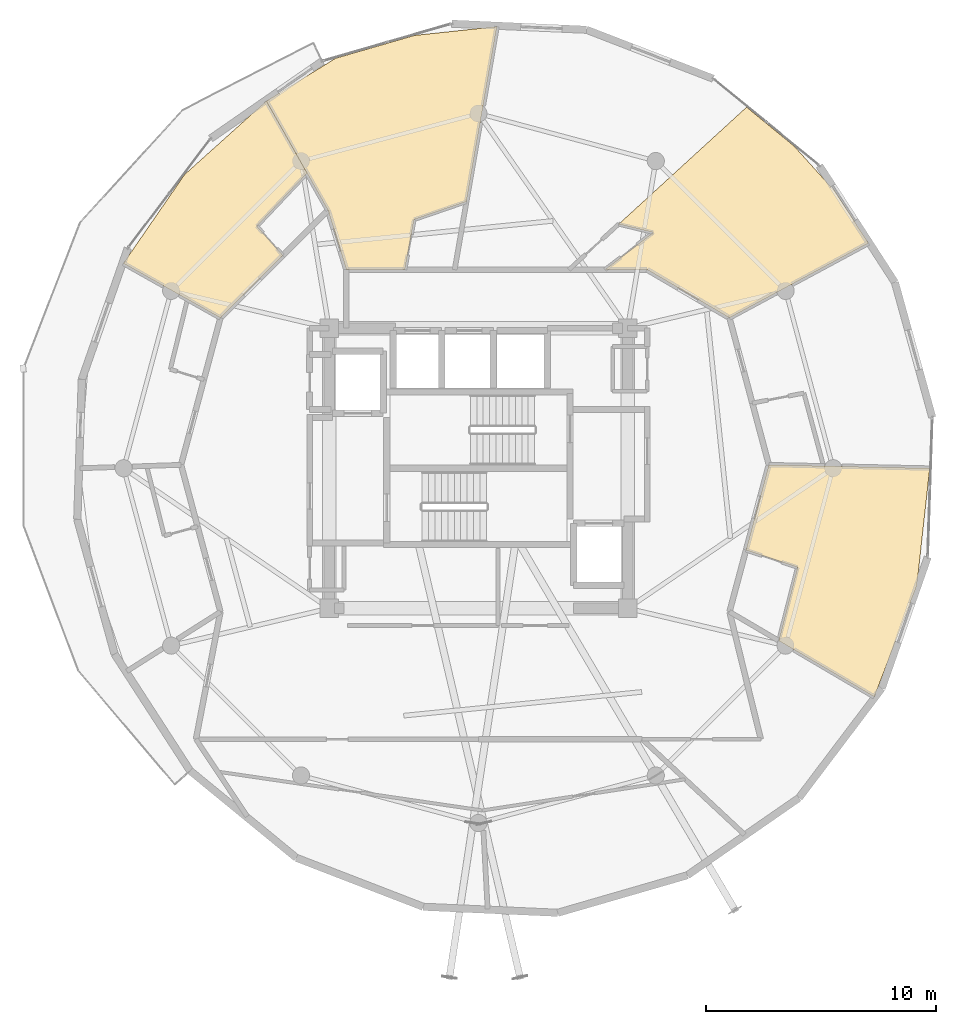
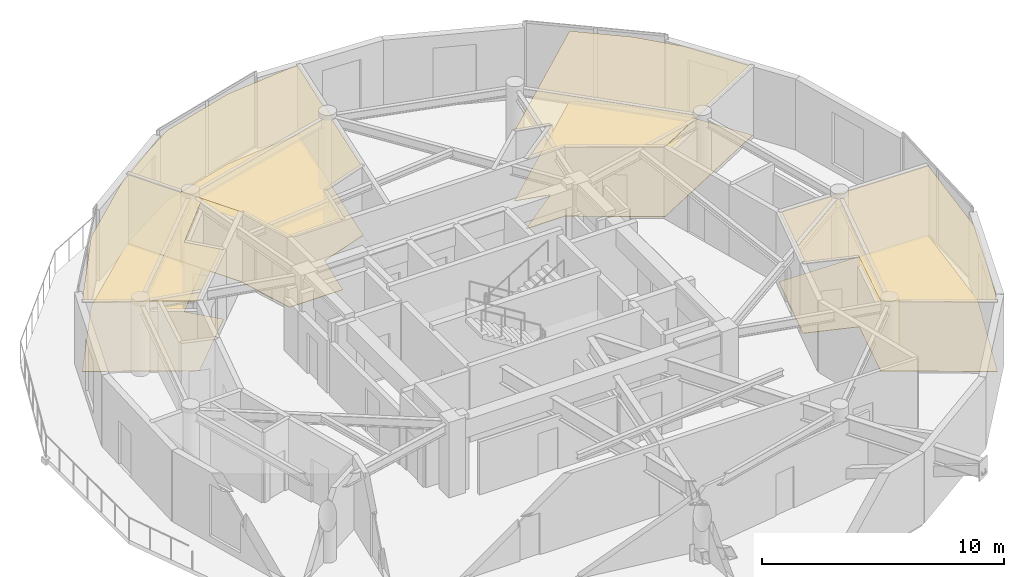
# One storey, part 16 of 16: 8 coverings.
"""IFC4 building model written with IfcOpenShell, lengths in metres."""

from ifc_helpers import new_model, si_unit, direction, frame, origin, place, context, subcontext, project, spatial, polyline, outline, extrude, material, layer, layer_set, type_object, element, save


model = new_model("IFC4")

# Units and contexts
model_context = context("Model", 3, precision=1e-05, world=origin(), true_north=direction((0.0, 1.0)))
body_context = subcontext(model_context, "Body", "Model", "MODEL_VIEW")
ifc_project = project(units=[si_unit("LENGTHUNIT", "METRE"), si_unit("AREAUNIT", "SQUARE_METRE"), si_unit("VOLUMEUNIT", "CUBIC_METRE"), si_unit("PLANEANGLEUNIT", "RADIAN"), si_unit("MASSUNIT", "GRAM", prefix="KILO")], contexts=[model_context])

# Site, building, storey
site_placement = place(None, origin())
site = spatial("IfcSite", under=ifc_project, at=site_placement, CompositionType="ELEMENT")
building_placement = place(site_placement, origin())
building = spatial("IfcBuilding", under=site, at=building_placement, Name="Solvirekh Grand Hotel", CompositionType="ELEMENT")
storey_placement = place(building_placement, frame((0.0, 0.0, 258.199951171875)))
storey = spatial("IfcBuildingStorey", under=building, at=storey_placement, Name="L67", CompositionType="ELEMENT", Elevation=258.199951171875)

# Coverings
ifc_material_1 = material(Name="Acoustic Mineral Ceiling Tile")
ifc_layer_1 = layer(ifc_material_1, 0.02490234375)
ifc_layer_set_1 = layer_set([ifc_layer_1], Name="Acoustic Mineral Ceiling Tile")
covering_type_1 = type_object("IfcCoveringType", Name="Cov_Ceiling_Acoustic", PredefinedType="CEILING", material=ifc_layer_set_1)
covering_1_placement = place(storey_placement, frame((0.0, 0.0, 3.52001953125)))
element("IfcCovering", 1, at=covering_1_placement, inside=storey, type_object=covering_type_1, Name="L67 Deluxe Guestroom 6901 acoustic ceiling", PredefinedType="CEILING", context=body_context, shape_type="SweptSolid", body=[
    extrude(outline(polyline([(6.110107421875, 10.632080078125), (7.615966796875, 10.27099609375), (5.510986328125, 8.64990234375), (7.35009765625, 8.64990234375), (10.93505859375, 6.550048828125), (16.987060546875, 9.80810546875), (15.535888671875, 12.051025390625), (13.7451171875, 14.034912109375), (11.679931640625, 15.72705078125), (6.110107421875, 10.632080078125)])), origin(), (0.0, 0.0, 1.0), 0.01806640625),
])
covering_2_placement = place(storey_placement, frame((0.0, 0.0, 3.52001953125)))
element("IfcCovering", 2, at=covering_2_placement, inside=storey, type_object=covering_type_1, Name="L67 Deluxe Guestroom 6902 acoustic ceiling", PredefinedType="CEILING", context=body_context, shape_type="SweptSolid", body=[
    extrude(outline(polyline([(-3.202880859375, 8.64990234375), (-2.801025390625, 10.830078125), (-0.51904296875, 11.614013671875), (-1.033935546875, 8.64990234375), (0.805908203125, 19.235107421875), (-2.783935546875, 18.85107421875), (-6.218017578125, 17.85595703125), (-9.23388671875, 15.992919921875), (-6.550048828125, 11.235107421875), (-5.75, 8.64990234375), (-3.202880859375, 8.64990234375)])), origin(), (0.0, 0.0, 1.0), 0.01806640625),
])
covering_3_placement = place(storey_placement, frame((0.0, 0.0, 3.52001953125)))
element("IfcCovering", 3, at=covering_3_placement, inside=storey, type_object=covering_type_1, Name="L67 Deluxe Guestroom 6903 acoustic ceiling", PredefinedType="CEILING", context=body_context, shape_type="SweptSolid", body=[
    extrude(outline(polyline([(-9.64990234375, 10.5439453125), (-7.462890625, 12.85302734375), (-9.23388671875, 15.992919921875), (-12.7939453125, 12.7939453125), (-15.458984375, 8.925048828125), (-11.235107421875, 6.550048828125), (-8.51806640625, 9.26708984375), (-9.64990234375, 10.5439453125)])), origin(), (0.0, 0.0, 1.0), 0.01806640625),
])
covering_4_placement = place(storey_placement, frame((0.0, 0.0, 3.52001953125)))
element("IfcCovering", 4, at=covering_4_placement, inside=storey, type_object=covering_type_1, Name="L67 Deluxe Guestroom 6906 acoustic ceiling", PredefinedType="CEILING", context=body_context, shape_type="SweptSolid", body=[
    extrude(outline(polyline([(13.89892578125, -4.31396484375), (13.0791015625, -7.509033203125), (17.240966796875, -9.9541015625), (19.092041015625, -5.115966796875), (19.656005859375, 0.0), (12.64990234375, 0.14990234375), (11.655029296875, -3.56201171875), (13.89892578125, -4.31396484375)])), origin(), (0.0, 0.0, 1.0), 0.01806640625),
])
ifc_material_2 = material(Name="Porcelain Stoneware Flooring", Category="masonry")
ifc_layer_2 = layer(ifc_material_2, 0.030029296875)
ifc_layer_set_2 = layer_set([ifc_layer_2], Name="Porcelain Stoneware Flooring")
covering_type_2 = type_object("IfcCoveringType", Name="Cov_Floor_Stone", PredefinedType="FLOORING", material=ifc_layer_set_2)
covering_5_placement = place(storey_placement, origin())
element("IfcCovering", 5, at=covering_5_placement, inside=storey, type_object=covering_type_2, Name="L67 Deluxe Guestroom 6901 polished granite flooring", PredefinedType="FLOORING", context=body_context, shape_type="SweptSolid", body=[
    extrude(outline(polyline([(6.110107421875, 10.632080078125), (7.615966796875, 10.27099609375), (5.510986328125, 8.64990234375), (7.35009765625, 8.64990234375), (10.93505859375, 6.550048828125), (16.987060546875, 9.80810546875), (15.535888671875, 12.051025390625), (13.7451171875, 14.034912109375), (11.679931640625, 15.72705078125), (6.110107421875, 10.632080078125)])), origin(), (0.0, 0.0, 1.0), 0.02001953125),
])
covering_6_placement = place(storey_placement, origin())
element("IfcCovering", 6, at=covering_6_placement, inside=storey, type_object=covering_type_2, Name="L67 Deluxe Guestroom 6902 polished granite flooring", PredefinedType="FLOORING", context=body_context, shape_type="SweptSolid", body=[
    extrude(outline(polyline([(-3.202880859375, 8.64990234375), (-2.801025390625, 10.830078125), (-0.51904296875, 11.614013671875), (-1.033935546875, 8.64990234375), (0.805908203125, 19.235107421875), (-2.783935546875, 18.85107421875), (-6.218017578125, 17.85595703125), (-9.23388671875, 15.992919921875), (-6.550048828125, 11.235107421875), (-5.75, 8.64990234375), (-3.202880859375, 8.64990234375)])), origin(), (0.0, 0.0, 1.0), 0.02001953125),
])
covering_7_placement = place(storey_placement, origin())
element("IfcCovering", 7, at=covering_7_placement, inside=storey, type_object=covering_type_2, Name="L67 Deluxe Guestroom 6903 polished granite flooring", PredefinedType="FLOORING", context=body_context, shape_type="SweptSolid", body=[
    extrude(outline(polyline([(-9.64990234375, 10.5439453125), (-7.462890625, 12.85302734375), (-9.23388671875, 15.992919921875), (-12.7939453125, 12.7939453125), (-15.458984375, 8.925048828125), (-11.235107421875, 6.550048828125), (-8.51806640625, 9.26708984375), (-9.64990234375, 10.5439453125)])), origin(), (0.0, 0.0, 1.0), 0.02001953125),
])
covering_8_placement = place(storey_placement, origin())
element("IfcCovering", 8, at=covering_8_placement, inside=storey, type_object=covering_type_2, Name="L67 Deluxe Guestroom 6906 polished granite flooring", PredefinedType="FLOORING", context=body_context, shape_type="SweptSolid", body=[
    extrude(outline(polyline([(13.89892578125, -4.31396484375), (13.0791015625, -7.509033203125), (17.240966796875, -9.9541015625), (19.092041015625, -5.115966796875), (19.656005859375, 0.0), (12.64990234375, 0.14990234375), (11.655029296875, -3.56201171875), (13.89892578125, -4.31396484375)])), origin(), (0.0, 0.0, 1.0), 0.02001953125),
])

save(model, "model.ifc")
